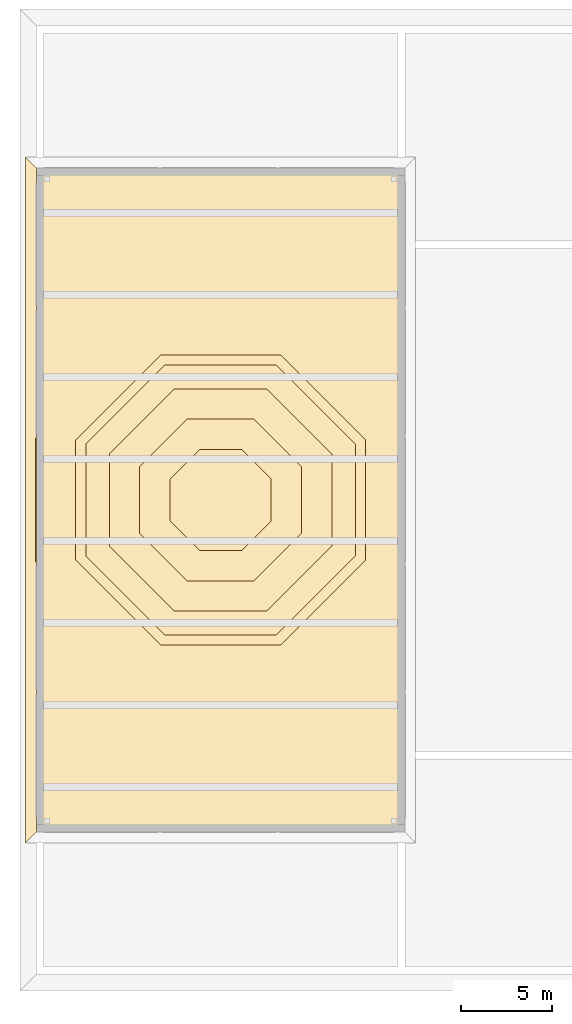
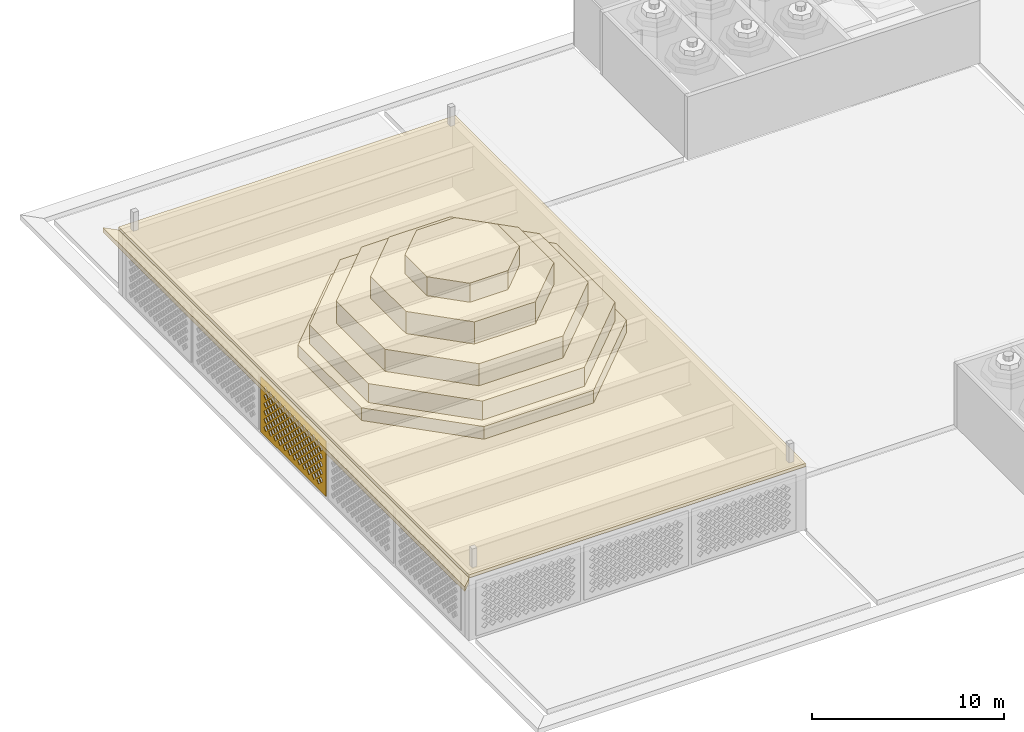
# One storey, part 25 of 63: 8 coverings.
"""IFC4 building model written with IfcOpenShell, lengths in metres."""

from ifc_helpers import new_model, si_unit, direction, frame, origin, place, context, subcontext, project, spatial, polyline, outline, extrude, material, layer, layer_set, type_object, element, save


model = new_model("IFC4")

# Units and contexts
model_context = context("Model", 3, precision=1e-05, world=origin(), true_north=direction((0.0, 1.0)))
body_context = subcontext(model_context, "Body", "Model", "MODEL_VIEW")
ifc_project = project(units=[si_unit("LENGTHUNIT", "METRE"), si_unit("AREAUNIT", "SQUARE_METRE"), si_unit("VOLUMEUNIT", "CUBIC_METRE"), si_unit("PLANEANGLEUNIT", "RADIAN"), si_unit("MASSUNIT", "GRAM", prefix="KILO")], contexts=[model_context])

# Site, building, storey
site_placement = place(None, origin())
site = spatial("IfcSite", under=ifc_project, at=site_placement, CompositionType="ELEMENT")
building_placement = place(site_placement, origin())
building = spatial("IfcBuilding", under=site, at=building_placement, Name="Noorbagh Ring Tower", CompositionType="ELEMENT")
storey_placement = place(building_placement, frame((0.0, 0.0, 25.0)))
storey = spatial("IfcBuildingStorey", under=building, at=storey_placement, Name="L04", CompositionType="ELEMENT", Elevation=25.0)

# Coverings
ifc_material_1 = material(Name="Red sandstone jali", Category="masonry")
ifc_layer_1 = layer(ifc_material_1, 0.0400390625)
ifc_layer_set_1 = layer_set([ifc_layer_1], Name="Red sandstone jali")
covering_type_1 = type_object("IfcCoveringType", Name="STH-BAND", PredefinedType="USERDEFINED", material=ifc_layer_set_1)
covering_1_placement = place(storey_placement, frame((-160.0400390625, 8.39990234375, 0.199951171875), z_axis=(-1.0, 0.0, 0.0), x_axis=(0.0, -1.0, 0.0)))
element("IfcCovering", 1, at=covering_1_placement, inside=storey, type_object=covering_type_1, Name="Jali band of the stage house", ObjectType="JALI SCREEN", PredefinedType="USERDEFINED", context=body_context, shape_type="SweptSolid", body=[
    extrude(outline(polyline([(0.0, 0.0), (6.7998046875, 0.0), (6.7998046875, 3.5), (0.0, 3.5), (0.0, 0.0)]), holes=[polyline([(0.344970703125, 0.5), (0.52490234375, 0.320068359375), (0.705078125, 0.5), (0.52490234375, 0.679931640625), (0.344970703125, 0.5)]), polyline([(0.844970703125, 0.5), (1.02490234375, 0.320068359375), (1.205078125, 0.5), (1.02490234375, 0.679931640625), (0.844970703125, 0.5)]), polyline([(1.344970703125, 0.5), (1.52490234375, 0.320068359375), (1.705078125, 0.5), (1.52490234375, 0.679931640625), (1.344970703125, 0.5)]), polyline([(1.844970703125, 0.5), (2.02490234375, 0.320068359375), (2.205078125, 0.5), (2.02490234375, 0.679931640625), (1.844970703125, 0.5)]), polyline([(2.344970703125, 0.5), (2.52490234375, 0.320068359375), (2.705078125, 0.5), (2.52490234375, 0.679931640625), (2.344970703125, 0.5)]), polyline([(2.844970703125, 0.5), (3.02490234375, 0.320068359375), (3.205078125, 0.5), (3.02490234375, 0.679931640625), (2.844970703125, 0.5)]), polyline([(3.344970703125, 0.5), (3.52490234375, 0.320068359375), (3.705078125, 0.5), (3.52490234375, 0.679931640625), (3.344970703125, 0.5)]), polyline([(3.844970703125, 0.5), (4.02490234375, 0.320068359375), (4.205078125, 0.5), (4.02490234375, 0.679931640625), (3.844970703125, 0.5)]), polyline([(4.344970703125, 0.5), (4.52490234375, 0.320068359375), (4.705078125, 0.5), (4.52490234375, 0.679931640625), (4.344970703125, 0.5)]), polyline([(4.844970703125, 0.5), (5.02490234375, 0.320068359375), (5.205078125, 0.5), (5.02490234375, 0.679931640625), (4.844970703125, 0.5)]), polyline([(5.344970703125, 0.5), (5.52490234375, 0.320068359375), (5.705078125, 0.5), (5.52490234375, 0.679931640625), (5.344970703125, 0.5)]), polyline([(5.844970703125, 0.5), (6.02490234375, 0.320068359375), (6.205078125, 0.5), (6.02490234375, 0.679931640625), (5.844970703125, 0.5)]), polyline([(0.594970703125, 0.75), (0.77490234375, 0.570068359375), (0.955078125, 0.75), (0.77490234375, 0.929931640625), (0.594970703125, 0.75)]), polyline([(1.094970703125, 0.75), (1.27490234375, 0.570068359375), (1.455078125, 0.75), (1.27490234375, 0.929931640625), (1.094970703125, 0.75)]), polyline([(1.594970703125, 0.75), (1.77490234375, 0.570068359375), (1.955078125, 0.75), (1.77490234375, 0.929931640625), (1.594970703125, 0.75)]), polyline([(2.094970703125, 0.75), (2.27490234375, 0.570068359375), (2.455078125, 0.75), (2.27490234375, 0.929931640625), (2.094970703125, 0.75)]), polyline([(2.594970703125, 0.75), (2.77490234375, 0.570068359375), (2.955078125, 0.75), (2.77490234375, 0.929931640625), (2.594970703125, 0.75)]), polyline([(3.094970703125, 0.75), (3.27490234375, 0.570068359375), (3.455078125, 0.75), (3.27490234375, 0.929931640625), (3.094970703125, 0.75)]), polyline([(3.594970703125, 0.75), (3.77490234375, 0.570068359375), (3.955078125, 0.75), (3.77490234375, 0.929931640625), (3.594970703125, 0.75)]), polyline([(4.094970703125, 0.75), (4.27490234375, 0.570068359375), (4.455078125, 0.75), (4.27490234375, 0.929931640625), (4.094970703125, 0.75)]), polyline([(4.594970703125, 0.75), (4.77490234375, 0.570068359375), (4.955078125, 0.75), (4.77490234375, 0.929931640625), (4.594970703125, 0.75)]), polyline([(5.094970703125, 0.75), (5.27490234375, 0.570068359375), (5.455078125, 0.75), (5.27490234375, 0.929931640625), (5.094970703125, 0.75)]), polyline([(5.594970703125, 0.75), (5.77490234375, 0.570068359375), (5.955078125, 0.75), (5.77490234375, 0.929931640625), (5.594970703125, 0.75)]), polyline([(6.094970703125, 0.75), (6.27490234375, 0.570068359375), (6.455078125, 0.75), (6.27490234375, 0.929931640625), (6.094970703125, 0.75)]), polyline([(0.344970703125, 1.0), (0.52490234375, 0.820068359375), (0.705078125, 1.0), (0.52490234375, 1.179931640625), (0.344970703125, 1.0)]), polyline([(0.844970703125, 1.0), (1.02490234375, 0.820068359375), (1.205078125, 1.0), (1.02490234375, 1.179931640625), (0.844970703125, 1.0)]), polyline([(1.344970703125, 1.0), (1.52490234375, 0.820068359375), (1.705078125, 1.0), (1.52490234375, 1.179931640625), (1.344970703125, 1.0)]), polyline([(1.844970703125, 1.0), (2.02490234375, 0.820068359375), (2.205078125, 1.0), (2.02490234375, 1.179931640625), (1.844970703125, 1.0)]), polyline([(2.344970703125, 1.0), (2.52490234375, 0.820068359375), (2.705078125, 1.0), (2.52490234375, 1.179931640625), (2.344970703125, 1.0)]), polyline([(2.844970703125, 1.0), (3.02490234375, 0.820068359375), (3.205078125, 1.0), (3.02490234375, 1.179931640625), (2.844970703125, 1.0)]), polyline([(3.344970703125, 1.0), (3.52490234375, 0.820068359375), (3.705078125, 1.0), (3.52490234375, 1.179931640625), (3.344970703125, 1.0)]), polyline([(3.844970703125, 1.0), (4.02490234375, 0.820068359375), (4.205078125, 1.0), (4.02490234375, 1.179931640625), (3.844970703125, 1.0)]), polyline([(4.344970703125, 1.0), (4.52490234375, 0.820068359375), (4.705078125, 1.0), (4.52490234375, 1.179931640625), (4.344970703125, 1.0)]), polyline([(4.844970703125, 1.0), (5.02490234375, 0.820068359375), (5.205078125, 1.0), (5.02490234375, 1.179931640625), (4.844970703125, 1.0)]), polyline([(5.344970703125, 1.0), (5.52490234375, 0.820068359375), (5.705078125, 1.0), (5.52490234375, 1.179931640625), (5.344970703125, 1.0)]), polyline([(5.844970703125, 1.0), (6.02490234375, 0.820068359375), (6.205078125, 1.0), (6.02490234375, 1.179931640625), (5.844970703125, 1.0)]), polyline([(0.594970703125, 1.25), (0.77490234375, 1.070068359375), (0.955078125, 1.25), (0.77490234375, 1.429931640625), (0.594970703125, 1.25)]), polyline([(1.094970703125, 1.25), (1.27490234375, 1.070068359375), (1.455078125, 1.25), (1.27490234375, 1.429931640625), (1.094970703125, 1.25)]), polyline([(1.594970703125, 1.25), (1.77490234375, 1.070068359375), (1.955078125, 1.25), (1.77490234375, 1.429931640625), (1.594970703125, 1.25)]), polyline([(2.094970703125, 1.25), (2.27490234375, 1.070068359375), (2.455078125, 1.25), (2.27490234375, 1.429931640625), (2.094970703125, 1.25)]), polyline([(2.594970703125, 1.25), (2.77490234375, 1.070068359375), (2.955078125, 1.25), (2.77490234375, 1.429931640625), (2.594970703125, 1.25)]), polyline([(3.094970703125, 1.25), (3.27490234375, 1.070068359375), (3.455078125, 1.25), (3.27490234375, 1.429931640625), (3.094970703125, 1.25)]), polyline([(3.594970703125, 1.25), (3.77490234375, 1.070068359375), (3.955078125, 1.25), (3.77490234375, 1.429931640625), (3.594970703125, 1.25)]), polyline([(4.094970703125, 1.25), (4.27490234375, 1.070068359375), (4.455078125, 1.25), (4.27490234375, 1.429931640625), (4.094970703125, 1.25)]), polyline([(4.594970703125, 1.25), (4.77490234375, 1.070068359375), (4.955078125, 1.25), (4.77490234375, 1.429931640625), (4.594970703125, 1.25)]), polyline([(5.094970703125, 1.25), (5.27490234375, 1.070068359375), (5.455078125, 1.25), (5.27490234375, 1.429931640625), (5.094970703125, 1.25)]), polyline([(5.594970703125, 1.25), (5.77490234375, 1.070068359375), (5.955078125, 1.25), (5.77490234375, 1.429931640625), (5.594970703125, 1.25)]), polyline([(6.094970703125, 1.25), (6.27490234375, 1.070068359375), (6.455078125, 1.25), (6.27490234375, 1.429931640625), (6.094970703125, 1.25)]), polyline([(0.344970703125, 1.5), (0.52490234375, 1.320068359375), (0.705078125, 1.5), (0.52490234375, 1.679931640625), (0.344970703125, 1.5)]), polyline([(0.844970703125, 1.5), (1.02490234375, 1.320068359375), (1.205078125, 1.5), (1.02490234375, 1.679931640625), (0.844970703125, 1.5)]), polyline([(1.344970703125, 1.5), (1.52490234375, 1.320068359375), (1.705078125, 1.5), (1.52490234375, 1.679931640625), (1.344970703125, 1.5)]), polyline([(1.844970703125, 1.5), (2.02490234375, 1.320068359375), (2.205078125, 1.5), (2.02490234375, 1.679931640625), (1.844970703125, 1.5)]), polyline([(2.344970703125, 1.5), (2.52490234375, 1.320068359375), (2.705078125, 1.5), (2.52490234375, 1.679931640625), (2.344970703125, 1.5)]), polyline([(2.844970703125, 1.5), (3.02490234375, 1.320068359375), (3.205078125, 1.5), (3.02490234375, 1.679931640625), (2.844970703125, 1.5)]), polyline([(3.344970703125, 1.5), (3.52490234375, 1.320068359375), (3.705078125, 1.5), (3.52490234375, 1.679931640625), (3.344970703125, 1.5)]), polyline([(3.844970703125, 1.5), (4.02490234375, 1.320068359375), (4.205078125, 1.5), (4.02490234375, 1.679931640625), (3.844970703125, 1.5)]), polyline([(4.344970703125, 1.5), (4.52490234375, 1.320068359375), (4.705078125, 1.5), (4.52490234375, 1.679931640625), (4.344970703125, 1.5)]), polyline([(4.844970703125, 1.5), (5.02490234375, 1.320068359375), (5.205078125, 1.5), (5.02490234375, 1.679931640625), (4.844970703125, 1.5)]), polyline([(5.344970703125, 1.5), (5.52490234375, 1.320068359375), (5.705078125, 1.5), (5.52490234375, 1.679931640625), (5.344970703125, 1.5)]), polyline([(5.844970703125, 1.5), (6.02490234375, 1.320068359375), (6.205078125, 1.5), (6.02490234375, 1.679931640625), (5.844970703125, 1.5)]), polyline([(0.594970703125, 1.75), (0.77490234375, 1.570068359375), (0.955078125, 1.75), (0.77490234375, 1.929931640625), (0.594970703125, 1.75)]), polyline([(1.094970703125, 1.75), (1.27490234375, 1.570068359375), (1.455078125, 1.75), (1.27490234375, 1.929931640625), (1.094970703125, 1.75)]), polyline([(1.594970703125, 1.75), (1.77490234375, 1.570068359375), (1.955078125, 1.75), (1.77490234375, 1.929931640625), (1.594970703125, 1.75)]), polyline([(2.094970703125, 1.75), (2.27490234375, 1.570068359375), (2.455078125, 1.75), (2.27490234375, 1.929931640625), (2.094970703125, 1.75)]), polyline([(2.594970703125, 1.75), (2.77490234375, 1.570068359375), (2.955078125, 1.75), (2.77490234375, 1.929931640625), (2.594970703125, 1.75)]), polyline([(3.094970703125, 1.75), (3.27490234375, 1.570068359375), (3.455078125, 1.75), (3.27490234375, 1.929931640625), (3.094970703125, 1.75)]), polyline([(3.594970703125, 1.75), (3.77490234375, 1.570068359375), (3.955078125, 1.75), (3.77490234375, 1.929931640625), (3.594970703125, 1.75)]), polyline([(4.094970703125, 1.75), (4.27490234375, 1.570068359375), (4.455078125, 1.75), (4.27490234375, 1.929931640625), (4.094970703125, 1.75)]), polyline([(4.594970703125, 1.75), (4.77490234375, 1.570068359375), (4.955078125, 1.75), (4.77490234375, 1.929931640625), (4.594970703125, 1.75)]), polyline([(5.094970703125, 1.75), (5.27490234375, 1.570068359375), (5.455078125, 1.75), (5.27490234375, 1.929931640625), (5.094970703125, 1.75)]), polyline([(5.594970703125, 1.75), (5.77490234375, 1.570068359375), (5.955078125, 1.75), (5.77490234375, 1.929931640625), (5.594970703125, 1.75)]), polyline([(6.094970703125, 1.75), (6.27490234375, 1.570068359375), (6.455078125, 1.75), (6.27490234375, 1.929931640625), (6.094970703125, 1.75)]), polyline([(0.344970703125, 2.0), (0.52490234375, 1.820068359375), (0.705078125, 2.0), (0.52490234375, 2.179931640625), (0.344970703125, 2.0)]), polyline([(0.844970703125, 2.0), (1.02490234375, 1.820068359375), (1.205078125, 2.0), (1.02490234375, 2.179931640625), (0.844970703125, 2.0)]), polyline([(1.344970703125, 2.0), (1.52490234375, 1.820068359375), (1.705078125, 2.0), (1.52490234375, 2.179931640625), (1.344970703125, 2.0)]), polyline([(1.844970703125, 2.0), (2.02490234375, 1.820068359375), (2.205078125, 2.0), (2.02490234375, 2.179931640625), (1.844970703125, 2.0)]), polyline([(2.344970703125, 2.0), (2.52490234375, 1.820068359375), (2.705078125, 2.0), (2.52490234375, 2.179931640625), (2.344970703125, 2.0)]), polyline([(2.844970703125, 2.0), (3.02490234375, 1.820068359375), (3.205078125, 2.0), (3.02490234375, 2.179931640625), (2.844970703125, 2.0)]), polyline([(3.344970703125, 2.0), (3.52490234375, 1.820068359375), (3.705078125, 2.0), (3.52490234375, 2.179931640625), (3.344970703125, 2.0)]), polyline([(3.844970703125, 2.0), (4.02490234375, 1.820068359375), (4.205078125, 2.0), (4.02490234375, 2.179931640625), (3.844970703125, 2.0)]), polyline([(4.344970703125, 2.0), (4.52490234375, 1.820068359375), (4.705078125, 2.0), (4.52490234375, 2.179931640625), (4.344970703125, 2.0)]), polyline([(4.844970703125, 2.0), (5.02490234375, 1.820068359375), (5.205078125, 2.0), (5.02490234375, 2.179931640625), (4.844970703125, 2.0)]), polyline([(5.344970703125, 2.0), (5.52490234375, 1.820068359375), (5.705078125, 2.0), (5.52490234375, 2.179931640625), (5.344970703125, 2.0)]), polyline([(5.844970703125, 2.0), (6.02490234375, 1.820068359375), (6.205078125, 2.0), (6.02490234375, 2.179931640625), (5.844970703125, 2.0)]), polyline([(0.594970703125, 2.25), (0.77490234375, 2.070068359375), (0.955078125, 2.25), (0.77490234375, 2.429931640625), (0.594970703125, 2.25)]), polyline([(1.094970703125, 2.25), (1.27490234375, 2.070068359375), (1.455078125, 2.25), (1.27490234375, 2.429931640625), (1.094970703125, 2.25)]), polyline([(1.594970703125, 2.25), (1.77490234375, 2.070068359375), (1.955078125, 2.25), (1.77490234375, 2.429931640625), (1.594970703125, 2.25)]), polyline([(2.094970703125, 2.25), (2.27490234375, 2.070068359375), (2.455078125, 2.25), (2.27490234375, 2.429931640625), (2.094970703125, 2.25)]), polyline([(2.594970703125, 2.25), (2.77490234375, 2.070068359375), (2.955078125, 2.25), (2.77490234375, 2.429931640625), (2.594970703125, 2.25)]), polyline([(3.094970703125, 2.25), (3.27490234375, 2.070068359375), (3.455078125, 2.25), (3.27490234375, 2.429931640625), (3.094970703125, 2.25)]), polyline([(3.594970703125, 2.25), (3.77490234375, 2.070068359375), (3.955078125, 2.25), (3.77490234375, 2.429931640625), (3.594970703125, 2.25)]), polyline([(4.094970703125, 2.25), (4.27490234375, 2.070068359375), (4.455078125, 2.25), (4.27490234375, 2.429931640625), (4.094970703125, 2.25)]), polyline([(4.594970703125, 2.25), (4.77490234375, 2.070068359375), (4.955078125, 2.25), (4.77490234375, 2.429931640625), (4.594970703125, 2.25)]), polyline([(5.094970703125, 2.25), (5.27490234375, 2.070068359375), (5.455078125, 2.25), (5.27490234375, 2.429931640625), (5.094970703125, 2.25)]), polyline([(5.594970703125, 2.25), (5.77490234375, 2.070068359375), (5.955078125, 2.25), (5.77490234375, 2.429931640625), (5.594970703125, 2.25)]), polyline([(6.094970703125, 2.25), (6.27490234375, 2.070068359375), (6.455078125, 2.25), (6.27490234375, 2.429931640625), (6.094970703125, 2.25)]), polyline([(0.344970703125, 2.5), (0.52490234375, 2.320068359375), (0.705078125, 2.5), (0.52490234375, 2.679931640625), (0.344970703125, 2.5)]), polyline([(0.844970703125, 2.5), (1.02490234375, 2.320068359375), (1.205078125, 2.5), (1.02490234375, 2.679931640625), (0.844970703125, 2.5)]), polyline([(1.344970703125, 2.5), (1.52490234375, 2.320068359375), (1.705078125, 2.5), (1.52490234375, 2.679931640625), (1.344970703125, 2.5)]), polyline([(1.844970703125, 2.5), (2.02490234375, 2.320068359375), (2.205078125, 2.5), (2.02490234375, 2.679931640625), (1.844970703125, 2.5)]), polyline([(2.344970703125, 2.5), (2.52490234375, 2.320068359375), (2.705078125, 2.5), (2.52490234375, 2.679931640625), (2.344970703125, 2.5)]), polyline([(2.844970703125, 2.5), (3.02490234375, 2.320068359375), (3.205078125, 2.5), (3.02490234375, 2.679931640625), (2.844970703125, 2.5)]), polyline([(3.344970703125, 2.5), (3.52490234375, 2.320068359375), (3.705078125, 2.5), (3.52490234375, 2.679931640625), (3.344970703125, 2.5)]), polyline([(3.844970703125, 2.5), (4.02490234375, 2.320068359375), (4.205078125, 2.5), (4.02490234375, 2.679931640625), (3.844970703125, 2.5)]), polyline([(4.344970703125, 2.5), (4.52490234375, 2.320068359375), (4.705078125, 2.5), (4.52490234375, 2.679931640625), (4.344970703125, 2.5)]), polyline([(4.844970703125, 2.5), (5.02490234375, 2.320068359375), (5.205078125, 2.5), (5.02490234375, 2.679931640625), (4.844970703125, 2.5)]), polyline([(5.344970703125, 2.5), (5.52490234375, 2.320068359375), (5.705078125, 2.5), (5.52490234375, 2.679931640625), (5.344970703125, 2.5)]), polyline([(5.844970703125, 2.5), (6.02490234375, 2.320068359375), (6.205078125, 2.5), (6.02490234375, 2.679931640625), (5.844970703125, 2.5)]), polyline([(0.594970703125, 2.75), (0.77490234375, 2.570068359375), (0.955078125, 2.75), (0.77490234375, 2.929931640625), (0.594970703125, 2.75)]), polyline([(1.094970703125, 2.75), (1.27490234375, 2.570068359375), (1.455078125, 2.75), (1.27490234375, 2.929931640625), (1.094970703125, 2.75)]), polyline([(1.594970703125, 2.75), (1.77490234375, 2.570068359375), (1.955078125, 2.75), (1.77490234375, 2.929931640625), (1.594970703125, 2.75)]), polyline([(2.094970703125, 2.75), (2.27490234375, 2.570068359375), (2.455078125, 2.75), (2.27490234375, 2.929931640625), (2.094970703125, 2.75)]), polyline([(2.594970703125, 2.75), (2.77490234375, 2.570068359375), (2.955078125, 2.75), (2.77490234375, 2.929931640625), (2.594970703125, 2.75)]), polyline([(3.094970703125, 2.75), (3.27490234375, 2.570068359375), (3.455078125, 2.75), (3.27490234375, 2.929931640625), (3.094970703125, 2.75)]), polyline([(3.594970703125, 2.75), (3.77490234375, 2.570068359375), (3.955078125, 2.75), (3.77490234375, 2.929931640625), (3.594970703125, 2.75)]), polyline([(4.094970703125, 2.75), (4.27490234375, 2.570068359375), (4.455078125, 2.75), (4.27490234375, 2.929931640625), (4.094970703125, 2.75)]), polyline([(4.594970703125, 2.75), (4.77490234375, 2.570068359375), (4.955078125, 2.75), (4.77490234375, 2.929931640625), (4.594970703125, 2.75)]), polyline([(5.094970703125, 2.75), (5.27490234375, 2.570068359375), (5.455078125, 2.75), (5.27490234375, 2.929931640625), (5.094970703125, 2.75)]), polyline([(5.594970703125, 2.75), (5.77490234375, 2.570068359375), (5.955078125, 2.75), (5.77490234375, 2.929931640625), (5.594970703125, 2.75)]), polyline([(6.094970703125, 2.75), (6.27490234375, 2.570068359375), (6.455078125, 2.75), (6.27490234375, 2.929931640625), (6.094970703125, 2.75)]), polyline([(0.344970703125, 3.0), (0.52490234375, 2.820068359375), (0.705078125, 3.0), (0.52490234375, 3.179931640625), (0.344970703125, 3.0)]), polyline([(0.844970703125, 3.0), (1.02490234375, 2.820068359375), (1.205078125, 3.0), (1.02490234375, 3.179931640625), (0.844970703125, 3.0)]), polyline([(1.344970703125, 3.0), (1.52490234375, 2.820068359375), (1.705078125, 3.0), (1.52490234375, 3.179931640625), (1.344970703125, 3.0)]), polyline([(1.844970703125, 3.0), (2.02490234375, 2.820068359375), (2.205078125, 3.0), (2.02490234375, 3.179931640625), (1.844970703125, 3.0)]), polyline([(2.344970703125, 3.0), (2.52490234375, 2.820068359375), (2.705078125, 3.0), (2.52490234375, 3.179931640625), (2.344970703125, 3.0)]), polyline([(2.844970703125, 3.0), (3.02490234375, 2.820068359375), (3.205078125, 3.0), (3.02490234375, 3.179931640625), (2.844970703125, 3.0)]), polyline([(3.344970703125, 3.0), (3.52490234375, 2.820068359375), (3.705078125, 3.0), (3.52490234375, 3.179931640625), (3.344970703125, 3.0)]), polyline([(3.844970703125, 3.0), (4.02490234375, 2.820068359375), (4.205078125, 3.0), (4.02490234375, 3.179931640625), (3.844970703125, 3.0)]), polyline([(4.344970703125, 3.0), (4.52490234375, 2.820068359375), (4.705078125, 3.0), (4.52490234375, 3.179931640625), (4.344970703125, 3.0)]), polyline([(4.844970703125, 3.0), (5.02490234375, 2.820068359375), (5.205078125, 3.0), (5.02490234375, 3.179931640625), (4.844970703125, 3.0)]), polyline([(5.344970703125, 3.0), (5.52490234375, 2.820068359375), (5.705078125, 3.0), (5.52490234375, 3.179931640625), (5.344970703125, 3.0)]), polyline([(5.844970703125, 3.0), (6.02490234375, 2.820068359375), (6.205078125, 3.0), (6.02490234375, 3.179931640625), (5.844970703125, 3.0)])]), origin(), (0.0, 0.0, -1.0), 0.0400390625),
])
ifc_material_2 = material(Name="Cream sandstone dome cladding", Category="masonry")
ifc_layer_2 = layer(ifc_material_2, 0.199951171875)
ifc_layer_set_2 = layer_set([ifc_layer_2], Name="Cream sandstone dome cladding")
covering_type_2 = type_object("IfcCoveringType", Name="STH-CAP", PredefinedType="ROOFING", material=ifc_layer_set_2)
covering_2_placement = place(storey_placement, frame((0.0, 0.0, 4.0)))
element("IfcCovering", 2, at=covering_2_placement, inside=storey, type_object=covering_type_2, Name="Roof of the stage house", PredefinedType="ROOFING", context=body_context, shape_type="SweptSolid", body=[
    extrude(outline(polyline([(-160.0, -13.199951171875), (-139.800048828125, -13.199951171875), (-139.800048828125, 23.199951171875), (-160.0, 23.199951171875), (-160.0, -13.199951171875)])), origin(), (0.0, 0.0, 1.0), 0.199951171875),
])
ifc_material_3 = material(Name="Red sandstone eave", Category="masonry")
covering_type_3 = type_object("IfcCoveringType", Name="STH-CHHAJJA", PredefinedType="USERDEFINED", material=ifc_material_3)
covering_3_placement = place(storey_placement, frame((0.0, 0.0, 3.699951171875)))
element("IfcCovering", 3, at=covering_3_placement, inside=storey, type_object=covering_type_3, Name="Cornice of the stage house", ObjectType="CHHAJJA", PredefinedType="USERDEFINED", context=body_context, shape_type="SweptSolid", body=[
    extrude(outline(polyline([(-160.0, 23.199951171875), (-160.0, -13.199951171875), (-160.60009765625, -13.800048828125), (-160.60009765625, 23.800048828125), (-160.0, 23.199951171875)])), origin(), (0.0, 0.0, 1.0), 0.300048828125),
])
ifc_material_4 = material(Name="Cream sandstone dome cladding", Category="masonry")
ifc_layer_3 = layer(ifc_material_4, 0.300048828125)
ifc_layer_set_3 = layer_set([ifc_layer_3], Name="Cream sandstone dome cladding")
covering_type_4 = type_object("IfcCoveringType", Name="STH-DOME", PredefinedType="ROOFING", material=ifc_layer_set_3)
covering_4_placement = place(storey_placement, frame((0.0, 0.0, 4.199951171875)))
element("IfcCovering", 4, at=covering_4_placement, inside=storey, type_object=covering_type_4, Name="Dome of the stage house", PredefinedType="ROOFING", context=body_context, shape_type="SweptSolid", body=[
    extrude(outline(polyline([(-141.95458984375, 8.291015625), (-146.60888671875, 12.9453125), (-153.191162109375, 12.9453125), (-157.845458984375, 8.291015625), (-157.845458984375, 1.708984375), (-153.191162109375, -2.9453125), (-146.60888671875, -2.9453125), (-141.95458984375, 1.708984375), (-141.95458984375, 8.291015625)])), origin(), (0.0, 0.0, 1.0), 0.800048828125),
])
covering_5_placement = place(storey_placement, frame((0.0, 0.0, 5.0)))
element("IfcCovering", 5, at=covering_5_placement, inside=storey, type_object=covering_type_4, Name="Dome of the stage house", PredefinedType="ROOFING", context=body_context, shape_type="SweptSolid", body=[
    extrude(outline(polyline([(-142.509033203125, 8.0615234375), (-146.83837890625, 12.39111328125), (-152.96142578125, 12.39111328125), (-157.291015625, 8.0615234375), (-157.291015625, 1.9384765625), (-152.96142578125, -2.39111328125), (-146.83837890625, -2.39111328125), (-142.509033203125, 1.9384765625), (-142.509033203125, 8.0615234375)])), origin(), (0.0, 0.0, 1.0), 1.199951171875),
])
covering_6_placement = place(storey_placement, frame((0.0, 0.0, 6.199951171875)))
element("IfcCovering", 6, at=covering_6_placement, inside=storey, type_object=covering_type_4, Name="Dome of the stage house", PredefinedType="ROOFING", context=body_context, shape_type="SweptSolid", body=[
    extrude(outline(polyline([(-143.802490234375, 7.525634765625), (-147.374267578125, 11.09765625), (-152.42578125, 11.09765625), (-155.99755859375, 7.525634765625), (-155.99755859375, 2.474365234375), (-152.42578125, -1.09765625), (-147.374267578125, -1.09765625), (-143.802490234375, 2.474365234375), (-143.802490234375, 7.525634765625)])), origin(), (0.0, 0.0, 1.0), 1.400146484375),
])
covering_7_placement = place(storey_placement, frame((0.0, 0.0, 7.60009765625)))
element("IfcCovering", 7, at=covering_7_placement, inside=storey, type_object=covering_type_4, Name="Dome of the stage house", PredefinedType="ROOFING", context=body_context, shape_type="SweptSolid", body=[
    extrude(outline(polyline([(-145.46533203125, 6.8369140625), (-148.06298828125, 9.4345703125), (-151.73681640625, 9.4345703125), (-154.334716796875, 6.8369140625), (-154.334716796875, 3.1630859375), (-151.73681640625, 0.5654296875), (-148.06298828125, 0.5654296875), (-145.46533203125, 3.1630859375), (-145.46533203125, 6.8369140625)])), origin(), (0.0, 0.0, 1.0), 1.39990234375),
])
covering_8_placement = place(storey_placement, frame((0.0, 0.0, 9.0)))
element("IfcCovering", 8, at=covering_8_placement, inside=storey, type_object=covering_type_4, Name="Dome of the stage house", PredefinedType="ROOFING", context=body_context, shape_type="SweptSolid", body=[
    extrude(outline(polyline([(-147.12841796875, 6.148193359375), (-148.751953125, 7.771484375), (-151.048095703125, 7.771484375), (-152.671630859375, 6.148193359375), (-152.671630859375, 3.851806640625), (-151.048095703125, 2.228515625), (-148.751953125, 2.228515625), (-147.12841796875, 3.851806640625), (-147.12841796875, 6.148193359375)])), origin(), (0.0, 0.0, 1.0), 1.199951171875),
])

save(model, "model.ifc")
